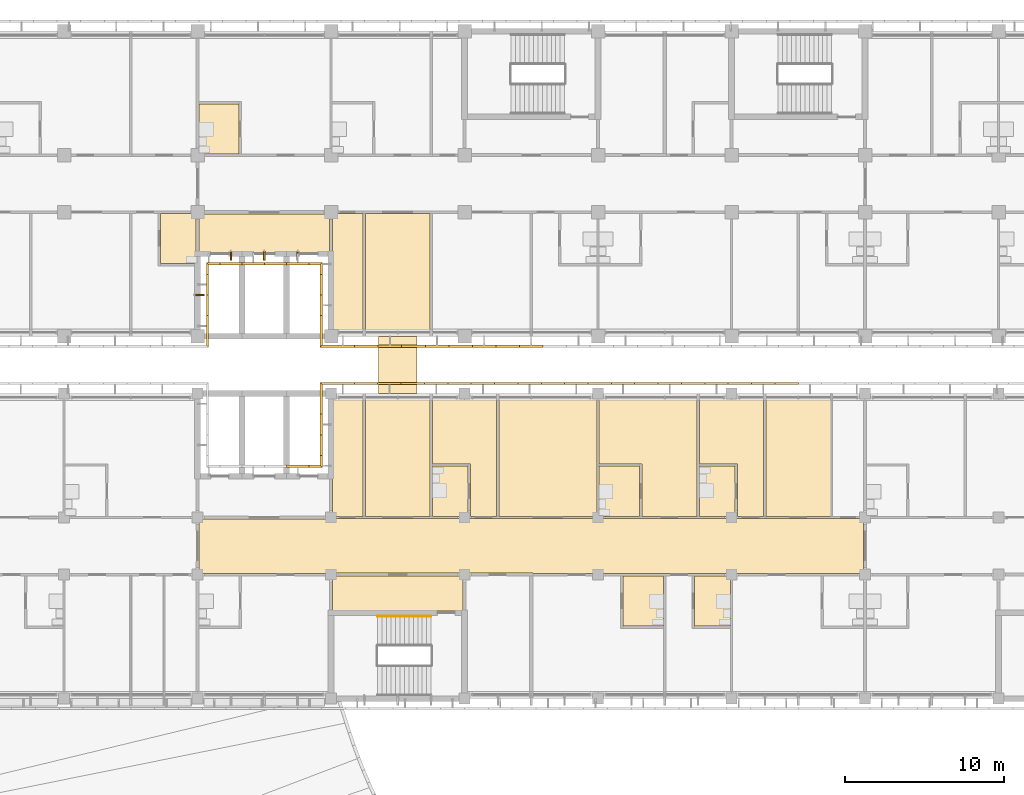
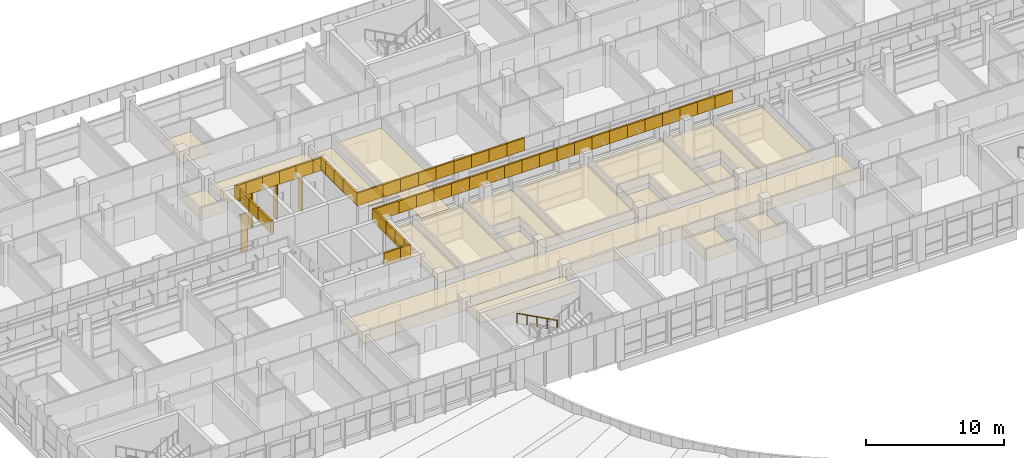
# One storey, part 65 of 74: 69 coverings, 4 shading devices, 1 railing.
"""IFC4 building model written with IfcOpenShell, lengths in metres."""

from ifc_helpers import new_model, si_unit, direction, frame, origin, origin_2d, place, context, subcontext, project, spatial, polyline, rectangle, circle, outline, extrude, material, layer, layer_set, material_profile, profile_set, type_object, element, save


model = new_model("IFC4")

# Units and contexts
model_context = context("Model", 3, precision=1e-05, world=origin(), true_north=direction((0.0, 1.0)))
body_context = subcontext(model_context, "Body", "Model", "MODEL_VIEW")
ifc_project = project(units=[si_unit("LENGTHUNIT", "METRE"), si_unit("AREAUNIT", "SQUARE_METRE"), si_unit("VOLUMEUNIT", "CUBIC_METRE"), si_unit("PLANEANGLEUNIT", "RADIAN"), si_unit("MASSUNIT", "GRAM", prefix="KILO")], contexts=[model_context])

# Site, building, storey
site_placement = place(None, origin())
site = spatial("IfcSite", under=ifc_project, at=site_placement, CompositionType="ELEMENT")
building_placement = place(site_placement, origin())
building = spatial("IfcBuilding", under=site, at=building_placement, Name="Bougainvillea Quay General Hospital", CompositionType="ELEMENT")
storey_placement = place(building_placement, frame((0.0, 0.0, 21.0)))
storey = spatial("IfcBuildingStorey", under=building, at=storey_placement, Name="L04", CompositionType="ELEMENT", Elevation=21.0)

# Coverings
ifc_material_1 = material(Name="Powder-coated aluminium fascia, white", Category="aluminium")
ifc_layer_1 = layer(ifc_material_1, 0.14990234375)
ifc_layer_set_1 = layer_set([ifc_layer_1], Name="Powder-coated aluminium fascia, white")
covering_type_1 = type_object("IfcCoveringType", Name="Aluminium fascia band white 150x1100", PredefinedType="CLADDING", material=ifc_layer_set_1)
covering_1_placement = place(storey_placement, frame((67.75, 139.85009765625, 3.35009765625), z_axis=(0.0, 0.0, 1.0), x_axis=(0.0, 1.0, 0.0)))
element("IfcCovering", 1, at=covering_1_placement, inside=storey, type_object=covering_type_1, Name="Fascia band white e0 127", PredefinedType="CLADDING", context=body_context, shape_type="SweptSolid", body=[
    extrude(outline(polyline([(0.0, 0.0), (1.849853515625, 0.0), (1.849853515625, -0.14990234375), (-0.150146484375, -0.14990234375), (0.0, 0.0)])), origin(), (0.0, 0.0, 1.0), 1.10009765625),
])
for number, where, z_axis, x_axis, name in (
    (2, (67.75, 141.699951171875, 3.35009765625), (0.0, 0.0, 1.0), (0.0, 1.0, 0.0), "Fascia band white e0 128"),
    (3, (67.75, 143.0, 3.35009765625), (0.0, 0.0, 1.0), (0.0, 1.0, 0.0), "Fascia band white e0 129"),
):
    element("IfcCovering", number, at=place(storey_placement, frame(where, z_axis=z_axis, x_axis=x_axis)), inside=storey, type_object=covering_type_1, Name=name, PredefinedType="CLADDING", context=body_context, shape_type="SweptSolid", body=[
        extrude(outline(polyline([(0.0, 0.0), (1.300048828125, 0.0), (1.300048828125, -0.14990234375), (0.0, -0.14990234375), (0.0, 0.0)])), origin(), (0.0, 0.0, 1.0), 1.10009765625),
    ])
covering_2_placement = place(storey_placement, frame((67.75, 144.300048828125, 3.35009765625), z_axis=(0.0, 0.0, 1.0), x_axis=(0.0, 1.0, 0.0)))
element("IfcCovering", 4, at=covering_2_placement, inside=storey, type_object=covering_type_1, Name="Fascia band white e0 130", PredefinedType="CLADDING", context=body_context, shape_type="SweptSolid", body=[
    extrude(outline(polyline([(0.0, 0.0), (0.75, 0.0), (0.599853515625, -0.14990234375), (0.0, -0.14990234375), (0.0, 0.0)])), origin(), (0.0, 0.0, 1.0), 1.10009765625),
])
covering_3_placement = place(storey_placement, frame((67.75, 145.050048828125, 3.35009765625), z_axis=(0.0, 0.0, 1.0), x_axis=(1.0, 0.0, 0.0)))
element("IfcCovering", 5, at=covering_3_placement, inside=storey, type_object=covering_type_1, Name="Fascia band white e0 131", PredefinedType="CLADDING", context=body_context, shape_type="SweptSolid", body=[
    extrude(outline(polyline([(0.0, 0.0), (0.85009765625, 0.0), (0.85009765625, -0.150146484375), (0.14990234375, -0.150146484375), (0.0, 0.0)])), origin(), (0.0, 0.0, 1.0), 1.10009765625),
])
for number, where, z_axis, x_axis, name in (
    (6, (68.60009765625, 145.050048828125, 3.35009765625), (0.0, 0.0, 1.0), (1.0, 0.0, 0.0), "Fascia band white e0 132"),
    (7, (70.0, 145.050048828125, 3.35009765625), (0.0, 0.0, 1.0), (1.0, 0.0, 0.0), "Fascia band white e0 133"),
):
    element("IfcCovering", number, at=place(storey_placement, frame(where, z_axis=z_axis, x_axis=x_axis)), inside=storey, type_object=covering_type_1, Name=name, PredefinedType="CLADDING", context=body_context, shape_type="SweptSolid", body=[
        extrude(outline(polyline([(0.0, 0.0), (1.39990234375, 0.0), (1.39990234375, -0.150146484375), (0.0, -0.150146484375), (0.0, 0.0)])), origin(), (0.0, 0.0, 1.0), 1.10009765625),
    ])
covering_4_placement = place(storey_placement, frame((71.39990234375, 145.050048828125, 3.35009765625), z_axis=(0.0, 0.0, 1.0), x_axis=(1.0, 0.0, 0.0)))
element("IfcCovering", 8, at=covering_4_placement, inside=storey, type_object=covering_type_1, Name="Fascia band white e0 134", PredefinedType="CLADDING", context=body_context, shape_type="SweptSolid", body=[
    extrude(outline(polyline([(0.0, 0.0), (1.400146484375, 0.0), (1.400146484375, -0.150146484375), (0.0, -0.150146484375), (0.0, 0.0)])), origin(), (0.0, 0.0, 1.0), 1.10009765625),
])
covering_5_placement = place(storey_placement, frame((72.800048828125, 145.050048828125, 3.35009765625), z_axis=(0.0, 0.0, 1.0), x_axis=(1.0, 0.0, 0.0)))
element("IfcCovering", 9, at=covering_5_placement, inside=storey, type_object=covering_type_1, Name="Fascia band white e0 135", PredefinedType="CLADDING", context=body_context, shape_type="SweptSolid", body=[
    extrude(outline(polyline([(0.0, 0.0), (1.39990234375, 0.0), (1.39990234375, -0.150146484375), (0.0, -0.150146484375), (0.0, 0.0)])), origin(), (0.0, 0.0, 1.0), 1.10009765625),
])
covering_6_placement = place(storey_placement, frame((74.199951171875, 145.050048828125, 3.35009765625), z_axis=(0.0, 0.0, 1.0), x_axis=(1.0, 0.0, 0.0)))
element("IfcCovering", 10, at=covering_6_placement, inside=storey, type_object=covering_type_1, Name="Fascia band white e0 136", PredefinedType="CLADDING", context=body_context, shape_type="SweptSolid", body=[
    extrude(outline(polyline([(0.0, 0.0), (0.85009765625, 0.0), (0.699951171875, -0.150146484375), (0.0, -0.150146484375), (0.0, 0.0)])), origin(), (0.0, 0.0, 1.0), 1.10009765625),
])
covering_7_placement = place(storey_placement, frame((75.050048828125, 145.050048828125, 3.35009765625), z_axis=(0.0, 0.0, 1.0), x_axis=(0.0, -1.0, 0.0)))
element("IfcCovering", 11, at=covering_7_placement, inside=storey, type_object=covering_type_1, Name="Fascia band white e0 137", PredefinedType="CLADDING", context=body_context, shape_type="SweptSolid", body=[
    extrude(outline(polyline([(0.0, 0.0), (0.75, 0.0), (0.75, -0.150146484375), (0.150146484375, -0.150146484375), (0.0, 0.0)])), origin(), (0.0, 0.0, 1.0), 1.10009765625),
])
for number, where, z_axis, x_axis, name in (
    (12, (75.050048828125, 144.300048828125, 3.35009765625), (0.0, 0.0, 1.0), (0.0, -1.0, 0.0), "Fascia band white e0 138"),
    (13, (75.050048828125, 143.0, 3.35009765625), (0.0, 0.0, 1.0), (0.0, -1.0, 0.0), "Fascia band white e0 139"),
):
    element("IfcCovering", number, at=place(storey_placement, frame(where, z_axis=z_axis, x_axis=x_axis)), inside=storey, type_object=covering_type_1, Name=name, PredefinedType="CLADDING", context=body_context, shape_type="SweptSolid", body=[
        extrude(outline(polyline([(0.0, 0.0), (1.300048828125, 0.0), (1.300048828125, -0.150146484375), (0.0, -0.150146484375), (0.0, 0.0)])), origin(), (0.0, 0.0, 1.0), 1.10009765625),
    ])
covering_8_placement = place(storey_placement, frame((75.050048828125, 141.699951171875, 3.35009765625), z_axis=(0.0, 0.0, 1.0), x_axis=(0.0, -1.0, 0.0)))
element("IfcCovering", 14, at=covering_8_placement, inside=storey, type_object=covering_type_1, Name="Fascia band white e0 140", PredefinedType="CLADDING", context=body_context, shape_type="SweptSolid", body=[
    extrude(outline(polyline([(0.0, 0.0), (1.849853515625, 0.0), (2.0, -0.150146484375), (0.0, -0.150146484375), (0.0, 0.0)])), origin(), (0.0, 0.0, 1.0), 1.10009765625),
])
covering_9_placement = place(storey_placement, frame((75.050048828125, 139.85009765625, 3.35009765625), z_axis=(0.0, 0.0, 1.0), x_axis=(1.0, 0.0, 0.0)))
element("IfcCovering", 15, at=covering_9_placement, inside=storey, type_object=covering_type_1, Name="Fascia band white e0 141", PredefinedType="CLADDING", context=body_context, shape_type="SweptSolid", body=[
    extrude(outline(polyline([(0.0, 0.0), (2.0322265625, 0.0), (2.0322265625, -0.150146484375), (-0.150146484375, -0.150146484375), (0.0, 0.0)])), origin(), (0.0, 0.0, 1.0), 1.10009765625),
])
for number, where, z_axis, x_axis, name in (
    (16, (77.082275390625, 139.85009765625, 3.35009765625), (0.0, 0.0, 1.0), (1.0, 0.0, 0.0), "Fascia band white e0 142"),
    (17, (78.564697265625, 139.85009765625, 3.35009765625), (0.0, 0.0, 1.0), (1.0, 0.0, 0.0), "Fascia band white e0 143"),
):
    element("IfcCovering", number, at=place(storey_placement, frame(where, z_axis=z_axis, x_axis=x_axis)), inside=storey, type_object=covering_type_1, Name=name, PredefinedType="CLADDING", context=body_context, shape_type="SweptSolid", body=[
        extrude(outline(polyline([(0.0, 0.0), (1.482421875, 0.0), (1.482421875, -0.150146484375), (0.0, -0.150146484375), (0.0, 0.0)])), origin(), (0.0, 0.0, 1.0), 1.10009765625),
    ])
covering_10_placement = place(storey_placement, frame((80.047119140625, 139.85009765625, 3.35009765625), z_axis=(0.0, 0.0, 1.0), x_axis=(1.0, 0.0, 0.0)))
element("IfcCovering", 18, at=covering_10_placement, inside=storey, type_object=covering_type_1, Name="Fascia band white e0 144", PredefinedType="CLADDING", context=body_context, shape_type="SweptSolid", body=[
    extrude(outline(polyline([(0.0, 0.0), (1.482177734375, 0.0), (1.482177734375, -0.150146484375), (0.0, -0.150146484375), (0.0, 0.0)])), origin(), (0.0, 0.0, 1.0), 1.10009765625),
])
for number, where, z_axis, x_axis, name in (
    (19, (81.529296875, 139.85009765625, 3.35009765625), (0.0, 0.0, 1.0), (1.0, 0.0, 0.0), "Fascia band white e0 145"),
    (20, (83.01171875, 139.85009765625, 3.35009765625), (0.0, 0.0, 1.0), (1.0, 0.0, 0.0), "Fascia band white e0 146"),
    (21, (84.494140625, 139.85009765625, 3.35009765625), (0.0, 0.0, 1.0), (1.0, 0.0, 0.0), "Fascia band white e0 147"),
):
    element("IfcCovering", number, at=place(storey_placement, frame(where, z_axis=z_axis, x_axis=x_axis)), inside=storey, type_object=covering_type_1, Name=name, PredefinedType="CLADDING", context=body_context, shape_type="SweptSolid", body=[
        extrude(outline(polyline([(0.0, 0.0), (1.482421875, 0.0), (1.482421875, -0.150146484375), (0.0, -0.150146484375), (0.0, 0.0)])), origin(), (0.0, 0.0, 1.0), 1.10009765625),
    ])
covering_11_placement = place(storey_placement, frame((85.9765625, 139.85009765625, 3.35009765625), z_axis=(0.0, 0.0, 1.0), x_axis=(1.0, 0.0, 0.0)))
element("IfcCovering", 22, at=covering_11_placement, inside=storey, type_object=covering_type_1, Name="Fascia band white e0 148", PredefinedType="CLADDING", context=body_context, shape_type="SweptSolid", body=[
    extrude(outline(polyline([(0.0, 0.0), (1.482177734375, 0.0), (1.482177734375, -0.150146484375), (0.0, -0.150146484375), (0.0, 0.0)])), origin(), (0.0, 0.0, 1.0), 1.10009765625),
])
covering_12_placement = place(storey_placement, frame((87.458740234375, 139.85009765625, 3.35009765625), z_axis=(0.0, 0.0, 1.0), x_axis=(1.0, 0.0, 0.0)))
element("IfcCovering", 23, at=covering_12_placement, inside=storey, type_object=covering_type_1, Name="Fascia band white e0 149", PredefinedType="CLADDING", context=body_context, shape_type="SweptSolid", body=[
    extrude(outline(polyline([(0.0, 0.0), (1.482421875, 0.0), (1.482421875, -0.150146484375), (0.0, -0.150146484375), (0.0, 0.0)])), origin(), (0.0, 0.0, 1.0), 1.10009765625),
])
for number, where, z_axis, x_axis, name in (
    (24, (105.0, 137.35009765625, 3.35009765625), (0.0, 0.0, 1.0), (-1.0, 0.0, 0.0), "Fascia band white e0 162"),
    (25, (103.530029296875, 137.35009765625, 3.35009765625), (0.0, 0.0, 1.0), (-1.0, 0.0, 0.0), "Fascia band white e0 163"),
    (26, (102.06005859375, 137.35009765625, 3.35009765625), (0.0, 0.0, 1.0), (-1.0, 0.0, 0.0), "Fascia band white e0 164"),
    (27, (100.590087890625, 137.35009765625, 3.35009765625), (0.0, 0.0, 1.0), (-1.0, 0.0, 0.0), "Fascia band white e0 165"),
):
    element("IfcCovering", number, at=place(storey_placement, frame(where, z_axis=z_axis, x_axis=x_axis)), inside=storey, type_object=covering_type_1, Name=name, PredefinedType="CLADDING", context=body_context, shape_type="SweptSolid", body=[
        extrude(outline(polyline([(0.0, 0.0), (1.469970703125, 0.0), (1.469970703125, -0.14990234375), (0.0, -0.14990234375), (0.0, 0.0)])), origin(), (0.0, 0.0, 1.0), 1.10009765625),
    ])
covering_13_placement = place(storey_placement, frame((99.1201171875, 137.35009765625, 3.35009765625), z_axis=(0.0, 0.0, 1.0), x_axis=(-1.0, 0.0, 0.0)))
element("IfcCovering", 28, at=covering_13_placement, inside=storey, type_object=covering_type_1, Name="Fascia band white e0 166", PredefinedType="CLADDING", context=body_context, shape_type="SweptSolid", body=[
    extrude(outline(polyline([(0.0, 0.0), (1.47021484375, 0.0), (1.47021484375, -0.14990234375), (0.0, -0.14990234375), (0.0, 0.0)])), origin(), (0.0, 0.0, 1.0), 1.10009765625),
])
for number, where, z_axis, x_axis, name in (
    (29, (97.64990234375, 137.35009765625, 3.35009765625), (0.0, 0.0, 1.0), (-1.0, 0.0, 0.0), "Fascia band white e0 167"),
    (30, (96.179931640625, 137.35009765625, 3.35009765625), (0.0, 0.0, 1.0), (-1.0, 0.0, 0.0), "Fascia band white e0 168"),
    (31, (94.7099609375, 137.35009765625, 3.35009765625), (0.0, 0.0, 1.0), (-1.0, 0.0, 0.0), "Fascia band white e0 169"),
    (32, (93.239990234375, 137.35009765625, 3.35009765625), (0.0, 0.0, 1.0), (-1.0, 0.0, 0.0), "Fascia band white e0 170"),
    (33, (91.77001953125, 137.35009765625, 3.35009765625), (0.0, 0.0, 1.0), (-1.0, 0.0, 0.0), "Fascia band white e0 171"),
    (34, (90.300048828125, 137.35009765625, 3.35009765625), (0.0, 0.0, 1.0), (-1.0, 0.0, 0.0), "Fascia band white e0 172"),
    (35, (88.830078125, 137.35009765625, 3.35009765625), (0.0, 0.0, 1.0), (-1.0, 0.0, 0.0), "Fascia band white e0 173"),
):
    element("IfcCovering", number, at=place(storey_placement, frame(where, z_axis=z_axis, x_axis=x_axis)), inside=storey, type_object=covering_type_1, Name=name, PredefinedType="CLADDING", context=body_context, shape_type="SweptSolid", body=[
        extrude(outline(polyline([(0.0, 0.0), (1.469970703125, 0.0), (1.469970703125, -0.14990234375), (0.0, -0.14990234375), (0.0, 0.0)])), origin(), (0.0, 0.0, 1.0), 1.10009765625),
    ])
covering_14_placement = place(storey_placement, frame((87.360107421875, 137.35009765625, 3.35009765625), z_axis=(0.0, 0.0, 1.0), x_axis=(-1.0, 0.0, 0.0)))
element("IfcCovering", 36, at=covering_14_placement, inside=storey, type_object=covering_type_1, Name="Fascia band white e0 174", PredefinedType="CLADDING", context=body_context, shape_type="SweptSolid", body=[
    extrude(outline(polyline([(0.0, 0.0), (1.47021484375, 0.0), (1.47021484375, -0.14990234375), (0.0, -0.14990234375), (0.0, 0.0)])), origin(), (0.0, 0.0, 1.0), 1.10009765625),
])
for number, where, z_axis, x_axis, name in (
    (37, (85.889892578125, 137.35009765625, 3.35009765625), (0.0, 0.0, 1.0), (-1.0, 0.0, 0.0), "Fascia band white e0 175"),
    (38, (84.419921875, 137.35009765625, 3.35009765625), (0.0, 0.0, 1.0), (-1.0, 0.0, 0.0), "Fascia band white e0 176"),
    (39, (82.949951171875, 137.35009765625, 3.35009765625), (0.0, 0.0, 1.0), (-1.0, 0.0, 0.0), "Fascia band white e0 177"),
    (40, (81.47998046875, 137.35009765625, 3.35009765625), (0.0, 0.0, 1.0), (-1.0, 0.0, 0.0), "Fascia band white e0 178"),
    (41, (80.010009765625, 137.35009765625, 3.35009765625), (0.0, 0.0, 1.0), (-1.0, 0.0, 0.0), "Fascia band white e0 179"),
    (42, (78.5400390625, 137.35009765625, 3.35009765625), (0.0, 0.0, 1.0), (-1.0, 0.0, 0.0), "Fascia band white e0 180"),
):
    element("IfcCovering", number, at=place(storey_placement, frame(where, z_axis=z_axis, x_axis=x_axis)), inside=storey, type_object=covering_type_1, Name=name, PredefinedType="CLADDING", context=body_context, shape_type="SweptSolid", body=[
        extrude(outline(polyline([(0.0, 0.0), (1.469970703125, 0.0), (1.469970703125, -0.14990234375), (0.0, -0.14990234375), (0.0, 0.0)])), origin(), (0.0, 0.0, 1.0), 1.10009765625),
    ])
covering_15_placement = place(storey_placement, frame((77.070068359375, 137.35009765625, 3.35009765625), z_axis=(0.0, 0.0, 1.0), x_axis=(-1.0, 0.0, 0.0)))
element("IfcCovering", 43, at=covering_15_placement, inside=storey, type_object=covering_type_1, Name="Fascia band white e0 181", PredefinedType="CLADDING", context=body_context, shape_type="SweptSolid", body=[
    extrude(outline(polyline([(0.0, 0.0), (2.02001953125, 0.0), (2.170166015625, -0.14990234375), (0.0, -0.14990234375), (0.0, 0.0)])), origin(), (0.0, 0.0, 1.0), 1.10009765625),
])
covering_16_placement = place(storey_placement, frame((75.050048828125, 137.35009765625, 3.35009765625), z_axis=(0.0, 0.0, 1.0), x_axis=(0.0, -1.0, 0.0)))
element("IfcCovering", 44, at=covering_16_placement, inside=storey, type_object=covering_type_1, Name="Fascia band white e0 182", PredefinedType="CLADDING", context=body_context, shape_type="SweptSolid", body=[
    extrude(outline(polyline([(0.0, 0.0), (1.85009765625, 0.0), (1.85009765625, -0.150146484375), (-0.14990234375, -0.150146484375), (0.0, 0.0)])), origin(), (0.0, 0.0, 1.0), 1.10009765625),
])
for number, where, z_axis, x_axis, name in (
    (45, (75.050048828125, 135.5, 3.35009765625), (0.0, 0.0, 1.0), (0.0, -1.0, 0.0), "Fascia band white e0 183"),
    (46, (75.050048828125, 134.199951171875, 3.35009765625), (0.0, 0.0, 1.0), (0.0, -1.0, 0.0), "Fascia band white e0 184"),
):
    element("IfcCovering", number, at=place(storey_placement, frame(where, z_axis=z_axis, x_axis=x_axis)), inside=storey, type_object=covering_type_1, Name=name, PredefinedType="CLADDING", context=body_context, shape_type="SweptSolid", body=[
        extrude(outline(polyline([(0.0, 0.0), (1.300048828125, 0.0), (1.300048828125, -0.150146484375), (0.0, -0.150146484375), (0.0, 0.0)])), origin(), (0.0, 0.0, 1.0), 1.10009765625),
    ])
covering_17_placement = place(storey_placement, frame((75.050048828125, 132.89990234375, 3.35009765625), z_axis=(0.0, 0.0, 1.0), x_axis=(0.0, -1.0, 0.0)))
element("IfcCovering", 47, at=covering_17_placement, inside=storey, type_object=covering_type_1, Name="Fascia band white e0 185", PredefinedType="CLADDING", context=body_context, shape_type="SweptSolid", body=[
    extrude(outline(polyline([(0.0, 0.0), (0.75, 0.0), (0.599853515625, -0.150146484375), (0.0, -0.150146484375), (0.0, 0.0)])), origin(), (0.0, 0.0, 1.0), 1.10009765625),
])
covering_18_placement = place(storey_placement, frame((75.050048828125, 132.14990234375, 3.35009765625), z_axis=(0.0, 0.0, 1.0), x_axis=(-1.0, 0.0, 0.0)))
element("IfcCovering", 48, at=covering_18_placement, inside=storey, type_object=covering_type_1, Name="Fascia band white e0 186", PredefinedType="CLADDING", context=body_context, shape_type="SweptSolid", body=[
    extrude(outline(polyline([(0.0, 0.0), (0.85009765625, 0.0), (0.85009765625, -0.150146484375), (0.150146484375, -0.150146484375), (0.0, 0.0)])), origin(), (0.0, 0.0, 1.0), 1.10009765625),
])
covering_19_placement = place(storey_placement, frame((74.199951171875, 132.14990234375, 3.35009765625), z_axis=(0.0, 0.0, 1.0), x_axis=(-1.0, 0.0, 0.0)))
element("IfcCovering", 49, at=covering_19_placement, inside=storey, type_object=covering_type_1, Name="Fascia band white e0 187", PredefinedType="CLADDING", context=body_context, shape_type="SweptSolid", body=[
    extrude(outline(polyline([(0.0, 0.0), (1.39990234375, 0.0), (1.39990234375, -0.150146484375), (0.0, -0.150146484375), (0.0, 0.0)])), origin(), (0.0, 0.0, 1.0), 1.10009765625),
])

# Railing
ifc_material_2 = material(Name="Stainless steel 304 handrail", Category="steel")
railing_type = type_object("IfcRailingType", Name="Stair handrail 900", PredefinedType="HANDRAIL", material=ifc_material_2)
railing_placement = place(storey_placement, frame((81.89990234375, 122.77490234375, 0.14990234375)))
element("IfcRailing", 50, at=railing_placement, inside=storey, type_object=railing_type, Name="L04 ST-B2 stair handrail 1", PredefinedType="HANDRAIL", context=body_context, shape_type="SweptSolid", body=[
    extrude(circle(Radius=0.02392578125, at=origin_2d()), frame((0.0, 0.0, 0.8759765625), z_axis=(-0.881466638993, 0.0, 0.472246296272), x_axis=(0.0, -1.0, 0.0)), (0.0, 0.0, 1.0), 3.811767578125),
    extrude(circle(Radius=0.02099609375, at=origin_2d()), origin(), (0.0, 0.0, 1.0), 0.851806640625),
    extrude(circle(Radius=0.02099609375, at=origin_2d()), frame((-0.83984375, 0.0, 0.449951171875)), (0.0, 0.0, 1.0), 0.851806640625),
    extrude(circle(Radius=0.02099609375, at=origin_2d()), frame((-1.679931640625, 0.0, 0.89990234375)), (0.0, 0.0, 1.0), 0.851806640625),
    extrude(circle(Radius=0.02099609375, at=origin_2d()), frame((-2.52001953125, 0.0, 1.35009765625)), (0.0, 0.0, 1.0), 0.851806640625),
    extrude(circle(Radius=0.02099609375, at=origin_2d()), frame((-3.35986328125, 0.0, 1.800048828125)), (0.0, 0.0, 1.0), 0.851806640625),
])

# Coverings
ifc_material_3 = material(Name="Mineral fibre ceiling tile")
ifc_layer_2 = layer(ifc_material_3, 0.030029296875)
ifc_layer_set_2 = layer_set([ifc_layer_2], Name="Mineral fibre ceiling tile")
covering_type_2 = type_object("IfcCoveringType", Name="Suspended ceiling mineral fibre tile", PredefinedType="CEILING", material=ifc_layer_set_2)
covering_20_placement = place(storey_placement, frame((0.0, 0.0, 2.699951171875)))
element("IfcCovering", 51, at=covering_20_placement, inside=storey, type_object=covering_type_2, Name="Ceiling Lift Lobby LB-A1 (Fire-fighting)", PredefinedType="CEILING", context=body_context, shape_type="SweptSolid", body=[
    extrude(outline(polyline([(75.5, 145.60009765625), (75.5, 148.10009765625), (67.300048828125, 148.10009765625), (67.300048828125, 145.60009765625), (75.5, 145.60009765625)])), origin(), (0.0, 0.0, 1.0), 0.030029296875),
])
covering_21_placement = place(storey_placement, frame((0.0, 0.0, 2.699951171875)))
element("IfcCovering", 52, at=covering_21_placement, inside=storey, type_object=covering_type_2, Name="Ceiling Ward Link Bridge 1", PredefinedType="CEILING", context=body_context, shape_type="SweptSolid", body=[
    extrude(outline(polyline([(81.0, 136.800048828125), (81.0, 140.39990234375), (78.60009765625, 140.39990234375), (78.60009765625, 136.800048828125), (81.0, 136.800048828125)])), origin(), (0.0, 0.0, 1.0), 0.030029296875),
])
covering_22_placement = place(storey_placement, frame((0.0, 0.0, 2.699951171875)))
element("IfcCovering", 53, at=covering_22_placement, inside=storey, type_object=covering_type_2, Name="Ceiling Smoke-proof Vestibule ST-B2", PredefinedType="CEILING", context=body_context, shape_type="SweptSolid", body=[
    extrude(outline(polyline([(75.699951171875, 123.10009765625), (83.89990234375, 123.10009765625), (83.89990234375, 125.300048828125), (75.699951171875, 125.300048828125), (75.699951171875, 123.10009765625)])), origin(), (0.0, 0.0, 1.0), 0.030029296875),
])
covering_23_placement = place(storey_placement, frame((0.0, 0.0, 2.39990234375)))
element("IfcCovering", 54, at=covering_23_placement, inside=storey, type_object=covering_type_2, Name="Ceiling En-suite 04A04", PredefinedType="CEILING", context=body_context, shape_type="SweptSolid", body=[
    extrude(outline(polyline([(67.199951171875, 145.60009765625), (67.10009765625, 145.60009765625), (67.10009765625, 148.125), (64.875, 148.125), (64.875, 144.97509765625), (67.199951171875, 144.97509765625), (67.199951171875, 145.60009765625)])), origin(), (0.0, 0.0, 1.0), 0.030029296875),
])
covering_24_placement = place(storey_placement, frame((0.0, 0.0, 2.39990234375)))
element("IfcCovering", 55, at=covering_24_placement, inside=storey, type_object=covering_type_2, Name="Ceiling En-suite 04A07", PredefinedType="CEILING", context=body_context, shape_type="SweptSolid", body=[
    extrude(outline(polyline([(67.300048828125, 155.02490234375), (67.300048828125, 151.875), (69.824951171875, 151.875), (69.824951171875, 155.02490234375), (67.300048828125, 155.02490234375)])), origin(), (0.0, 0.0, 1.0), 0.030029296875),
])
covering_25_placement = place(storey_placement, frame((0.0, 0.0, 2.39990234375)))
element("IfcCovering", 56, at=covering_25_placement, inside=storey, type_object=covering_type_2, Name="Ceiling Cleaners' Store 04A10", PredefinedType="CEILING", context=body_context, shape_type="SweptSolid", body=[
    extrude(outline(polyline([(77.625, 140.39990234375), (77.625, 148.125), (75.699951171875, 148.125), (75.699951171875, 145.60009765625), (75.60009765625, 145.60009765625), (75.60009765625, 140.39990234375), (77.625, 140.39990234375)])), origin(), (0.0, 0.0, 1.0), 0.030029296875),
])
covering_26_placement = place(storey_placement, frame((0.0, 0.0, 2.699951171875)))
element("IfcCovering", 57, at=covering_26_placement, inside=storey, type_object=covering_type_2, Name="Ceiling Ward Link Passage A1", PredefinedType="CEILING", context=body_context, shape_type="SweptSolid", body=[
    extrude(outline(polyline([(81.824951171875, 140.39990234375), (81.824951171875, 148.125), (77.77490234375, 148.125), (77.77490234375, 140.39990234375), (81.824951171875, 140.39990234375)])), origin(), (0.0, 0.0, 1.0), 0.030029296875),
])
covering_27_placement = place(storey_placement, frame((0.0, 0.0, 2.699951171875)))
element("IfcCovering", 58, at=covering_27_placement, inside=storey, type_object=covering_type_2, Name="Ceiling Dirty Utility and Sluice Room 04B10", PredefinedType="CEILING", context=body_context, shape_type="SweptSolid", body=[
    extrude(outline(polyline([(75.60009765625, 131.60009765625), (75.699951171875, 131.60009765625), (75.699951171875, 129.074951171875), (77.625, 129.074951171875), (77.625, 136.800048828125), (75.60009765625, 136.800048828125), (75.60009765625, 131.60009765625)])), origin(), (0.0, 0.0, 1.0), 0.030029296875),
])
covering_28_placement = place(storey_placement, frame((0.0, 0.0, 2.699951171875)))
element("IfcCovering", 59, at=covering_28_placement, inside=storey, type_object=covering_type_2, Name="Ceiling Patient Room 04B11", PredefinedType="CEILING", context=body_context, shape_type="SweptSolid", body=[
    extrude(outline(polyline([(81.97509765625, 136.800048828125), (81.97509765625, 132.375), (84.375, 132.375), (84.375, 129.074951171875), (86.02490234375, 129.074951171875), (86.02490234375, 136.800048828125), (81.97509765625, 136.800048828125)])), origin(), (0.0, 0.0, 1.0), 0.030029296875),
])
covering_29_placement = place(storey_placement, frame((0.0, 0.0, 2.39990234375)))
element("IfcCovering", 60, at=covering_29_placement, inside=storey, type_object=covering_type_2, Name="Ceiling En-suite 04B11", PredefinedType="CEILING", context=body_context, shape_type="SweptSolid", body=[
    extrude(outline(polyline([(84.22509765625, 129.074951171875), (84.22509765625, 132.22509765625), (81.97509765625, 132.22509765625), (81.97509765625, 129.074951171875), (84.22509765625, 129.074951171875)])), origin(), (0.0, 0.0, 1.0), 0.030029296875),
])
covering_30_placement = place(storey_placement, frame((0.0, 0.0, 2.699951171875)))
element("IfcCovering", 61, at=covering_30_placement, inside=storey, type_object=covering_type_2, Name="Ceiling Nurses' Station 04B12", PredefinedType="CEILING", context=body_context, shape_type="SweptSolid", body=[
    extrude(outline(polyline([(86.175048828125, 136.800048828125), (86.175048828125, 129.074951171875), (92.35009765625, 129.074951171875), (92.35009765625, 132.22509765625), (92.324951171875, 132.22509765625), (92.324951171875, 136.800048828125), (86.175048828125, 136.800048828125)])), origin(), (0.0, 0.0, 1.0), 0.030029296875),
])
covering_31_placement = place(storey_placement, frame((0.0, 0.0, 2.699951171875)))
element("IfcCovering", 62, at=covering_31_placement, inside=storey, type_object=covering_type_2, Name="Ceiling Two-bed Patient Room 04B13", PredefinedType="CEILING", context=body_context, shape_type="SweptSolid", body=[
    extrude(outline(polyline([(92.47509765625, 136.800048828125), (92.47509765625, 132.375), (95.175048828125, 132.375), (95.175048828125, 129.074951171875), (98.625, 129.074951171875), (98.625, 136.800048828125), (92.47509765625, 136.800048828125)])), origin(), (0.0, 0.0, 1.0), 0.030029296875),
])
covering_32_placement = place(storey_placement, frame((0.0, 0.0, 2.39990234375)))
element("IfcCovering", 63, at=covering_32_placement, inside=storey, type_object=covering_type_2, Name="Ceiling En-suite 04B13", PredefinedType="CEILING", context=body_context, shape_type="SweptSolid", body=[
    extrude(outline(polyline([(95.02490234375, 132.22509765625), (92.449951171875, 132.22509765625), (92.449951171875, 129.074951171875), (95.02490234375, 129.074951171875), (95.02490234375, 132.22509765625)])), origin(), (0.0, 0.0, 1.0), 0.030029296875),
])
covering_33_placement = place(storey_placement, frame((0.0, 0.0, 2.699951171875)))
element("IfcCovering", 64, at=covering_33_placement, inside=storey, type_object=covering_type_2, Name="Ceiling Patient Room 04B14", PredefinedType="CEILING", context=body_context, shape_type="SweptSolid", body=[
    extrude(outline(polyline([(98.77490234375, 136.800048828125), (98.77490234375, 132.375), (101.175048828125, 132.375), (101.175048828125, 129.074951171875), (102.824951171875, 129.074951171875), (102.824951171875, 136.800048828125), (98.77490234375, 136.800048828125)])), origin(), (0.0, 0.0, 1.0), 0.030029296875),
])
covering_34_placement = place(storey_placement, frame((0.0, 0.0, 2.39990234375)))
element("IfcCovering", 65, at=covering_34_placement, inside=storey, type_object=covering_type_2, Name="Ceiling En-suite 04B14", PredefinedType="CEILING", context=body_context, shape_type="SweptSolid", body=[
    extrude(outline(polyline([(101.02490234375, 132.22509765625), (98.77490234375, 132.22509765625), (98.77490234375, 129.074951171875), (101.02490234375, 129.074951171875), (101.02490234375, 132.22509765625)])), origin(), (0.0, 0.0, 1.0), 0.030029296875),
])
covering_35_placement = place(storey_placement, frame((0.0, 0.0, 2.699951171875)))
element("IfcCovering", 66, at=covering_35_placement, inside=storey, type_object=covering_type_2, Name="Ceiling Treatment and Clean Utility Room 04B15", PredefinedType="CEILING", context=body_context, shape_type="SweptSolid", body=[
    extrude(outline(polyline([(102.97509765625, 136.800048828125), (102.97509765625, 129.074951171875), (107.050048828125, 129.074951171875), (107.050048828125, 136.800048828125), (102.97509765625, 136.800048828125)])), origin(), (0.0, 0.0, 1.0), 0.030029296875),
])
covering_36_placement = place(storey_placement, frame((0.0, 0.0, 2.39990234375)))
element("IfcCovering", 67, at=covering_36_placement, inside=storey, type_object=covering_type_2, Name="Ceiling En-suite 04B17", PredefinedType="CEILING", context=body_context, shape_type="SweptSolid", body=[
    extrude(outline(polyline([(96.52490234375, 125.324951171875), (93.97509765625, 125.324951171875), (93.97509765625, 122.175048828125), (96.52490234375, 122.175048828125), (96.52490234375, 125.324951171875)])), origin(), (0.0, 0.0, 1.0), 0.030029296875),
])
covering_37_placement = place(storey_placement, frame((0.0, 0.0, 2.39990234375)))
element("IfcCovering", 68, at=covering_37_placement, inside=storey, type_object=covering_type_2, Name="Ceiling En-suite 04B18", PredefinedType="CEILING", context=body_context, shape_type="SweptSolid", body=[
    extrude(outline(polyline([(100.72509765625, 125.324951171875), (98.47509765625, 125.324951171875), (98.47509765625, 122.175048828125), (100.72509765625, 122.175048828125), (100.72509765625, 125.324951171875)])), origin(), (0.0, 0.0, 1.0), 0.030029296875),
])
covering_38_placement = place(storey_placement, frame((0.0, 0.0, 2.39990234375)))
element("IfcCovering", 69, at=covering_38_placement, inside=storey, type_object=covering_type_2, Name="Ceiling Ward Corridor B2", PredefinedType="CEILING", context=body_context, shape_type="SweptSolid", body=[
    extrude(outline(polyline([(75.699951171875, 128.89990234375), (67.300048828125, 128.89990234375), (67.300048828125, 125.47509765625), (75.5, 125.47509765625), (75.5, 125.5), (88.300048828125, 125.5), (88.300048828125, 125.47509765625), (109.10009765625, 125.47509765625), (109.10009765625, 128.925048828125), (75.699951171875, 128.925048828125), (75.699951171875, 128.89990234375)])), origin(), (0.0, 0.0, 1.0), 0.030029296875),
])
covering_39_placement = place(storey_placement, frame((0.0, 0.0, 2.699951171875)))
element("IfcCovering", 70, at=covering_39_placement, inside=storey, type_object=covering_type_2, Name="Ceiling Ward Link Passage B1", PredefinedType="CEILING", context=body_context, shape_type="SweptSolid", body=[
    extrude(outline(polyline([(77.77490234375, 136.800048828125), (77.77490234375, 129.074951171875), (81.824951171875, 129.074951171875), (81.824951171875, 136.800048828125), (77.77490234375, 136.800048828125)])), origin(), (0.0, 0.0, 1.0), 0.030029296875),
])

# Shading devices
ifc_material_4 = material(Name="Powder-coated aluminium fin, white", Category="aluminium")
ifc_material_profile = material_profile(ifc_material_4, rectangle(XDim=0.550048828125, YDim=0.10009765625, at=origin_2d()))
ifc_profile_set = profile_set([ifc_material_profile], Name="Powder-coated aluminium fin, white")
shading_device_type = type_object("IfcShadingDeviceType", Name="Vertical fin 550x100", PredefinedType="USERDEFINED", material=ifc_profile_set)
for number, where, z_axis, x_axis, name in (
    (71, (67.344970703125, 143.0, 0.0), (0.0, 0.0, 1.0), (1.0, 0.0, 0.0), "Vertical fin V5A L04 03.1"),
    (72, (73.5, 145.455078125, 0.0), (0.0, 0.0, 1.0), (0.0, -1.0, 0.0), "Vertical fin V5A L04 04.1"),
    (73, (71.39990234375, 145.455078125, 0.0), (0.0, 0.0, 1.0), (0.0, -1.0, 0.0), "Vertical fin V5A L04 04.2"),
    (74, (69.300048828125, 145.455078125, 0.0), (0.0, 0.0, 1.0), (0.0, -1.0, 0.0), "Vertical fin V5A L04 04.3"),
):
    element("IfcShadingDevice", number, at=place(storey_placement, frame(where, z_axis=z_axis, x_axis=x_axis)), inside=storey, type_object=shading_device_type, Name=name, ObjectType="Vertical fin", PredefinedType="USERDEFINED", context=body_context, shape_type="SweptSolid", body=[
        extrude(rectangle(XDim=0.550048828125, YDim=0.10009765625, at=origin_2d()), origin(), (0.0, 0.0, 1.0), 3.330078125),
    ])

save(model, "model.ifc")
